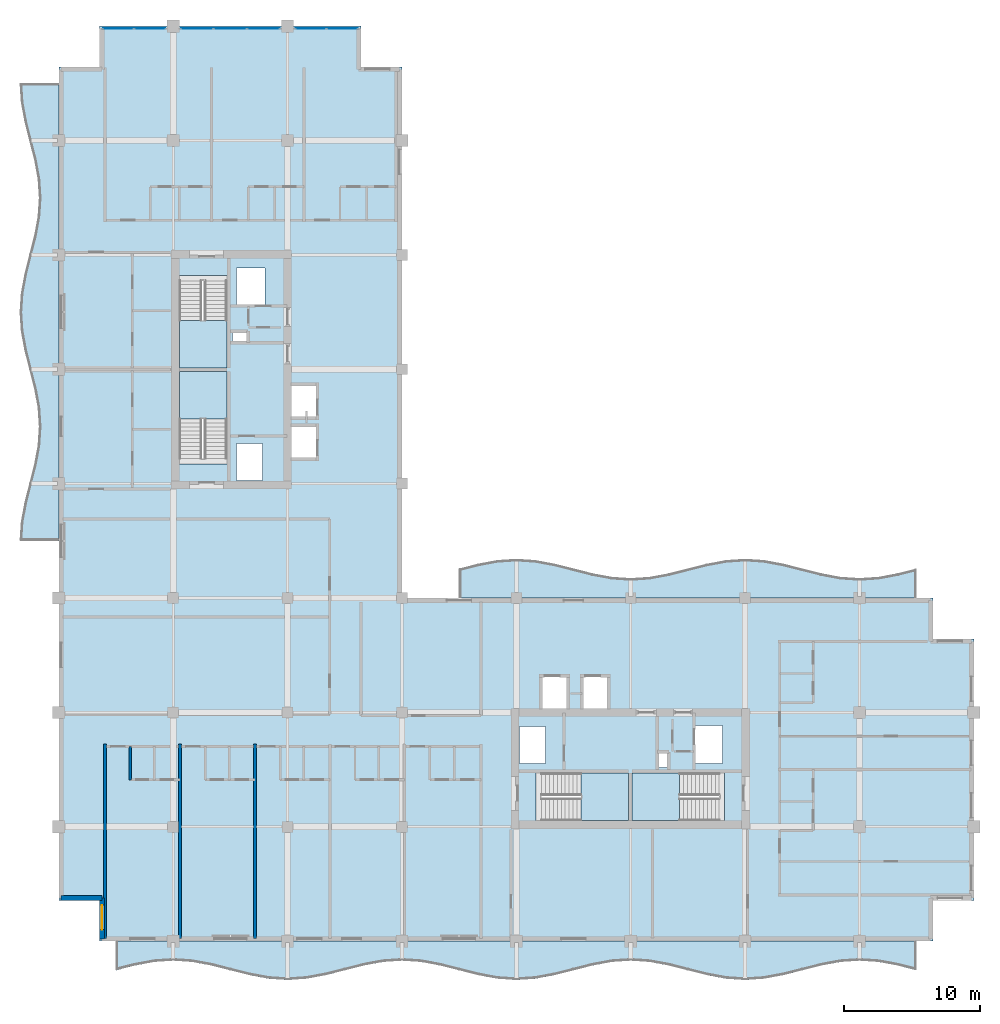
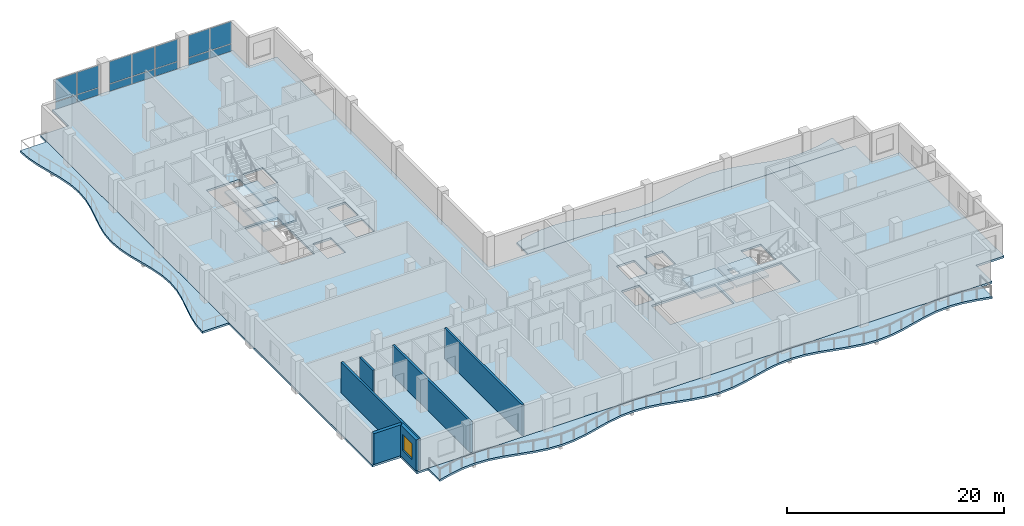
# One storey, part 5 of 15: 14 plates, 8 slabs, 6 walls, 1 window, 1 opening, 7 elements without a shape of their own.
"""IFC4 building model written with IfcOpenShell, lengths in metres."""

from ifc_helpers import new_model, si_unit, direction, frame, frame_2d, origin, origin_2d, place, context, subcontext, project, spatial, polyline, rectangle, outline, extrude, material, layer, layer_set, type_object, element, fill, aggregate, save


model = new_model("IFC4")

# Units and contexts
model_context = context("Model", 3, precision=1e-05, world=origin(), true_north=direction((0.0, 1.0)))
body_context = subcontext(model_context, "Body", "Model", "MODEL_VIEW")
ifc_project = project(units=[si_unit("LENGTHUNIT", "METRE"), si_unit("AREAUNIT", "SQUARE_METRE"), si_unit("VOLUMEUNIT", "CUBIC_METRE"), si_unit("PLANEANGLEUNIT", "RADIAN"), si_unit("MASSUNIT", "GRAM", prefix="KILO")], contexts=[model_context])

# Site, building, storey
site_placement = place(None, origin())
site = spatial("IfcSite", under=ifc_project, at=site_placement, CompositionType="ELEMENT")
building_placement = place(site_placement, origin())
building = spatial("IfcBuilding", under=site, at=building_placement, Name="Koriwani Terraces Tower", CompositionType="ELEMENT")
storey_placement = place(building_placement, frame((0.0, 0.0, 282.300048828125)))
storey = spatial("IfcBuildingStorey", under=building, at=storey_placement, Name="L70", CompositionType="ELEMENT", Elevation=282.300048828125)

# Curtain wall, plates
ifc_material_1 = material(Name="Anodised Bronze Aluminium", Category="aluminium")
ifc_layer_1 = layer(ifc_material_1, 0.169921875, Name="Anodised Bronze Aluminium")
ifc_layer_set_1 = layer_set([ifc_layer_1], Name="Anodised Bronze Aluminium")
curtain_wall_type = type_object("IfcCurtainWallType", Name="CW_RES_ZONE4", PredefinedType="NOTDEFINED", material=ifc_layer_set_1)
curtain_wall_1_placement = place(storey_placement, origin())
curtain_wall_1 = element("IfcCurtainWall", 1, at=curtain_wall_1_placement, inside=storey, type_object=curtain_wall_type, Name="L70 Unitised Curtain Wall (N_TIP) Bay 1", PredefinedType="NOTDEFINED")
ifc_material_2 = material(Name="Tempered Laminated Low-E Glass", Category="glass")
ifc_layer_2 = layer(ifc_material_2, 0.028076171875, Name="Tempered Laminated Low-E Glass")
ifc_layer_set_2 = layer_set([ifc_layer_2], Name="Tempered Laminated Low-E Glass")
plate_type = type_object("IfcPlateType", Name="CW_PANEL_VISION_28", PredefinedType="CURTAIN_PANEL", material=ifc_layer_set_2)
plate_1_placement = place(storey_placement, frame((12.7724609375, 75.425048828125, 0.06494140625), z_axis=(0.0, 0.0, 1.0), x_axis=(1.0, 0.0, 0.0)))
plate_1 = element("IfcPlate", 2, at=plate_1_placement, type_object=plate_type, Name="CW-Z4 panel 1.1", PredefinedType="CURTAIN_PANEL", context=body_context, shape_type="SweptSolid", body=[
    extrude(rectangle(XDim=2.2451171875, YDim=0.028076171875, at=origin_2d()), origin(), (0.0, 0.0, 1.0), 0.802490234375),
])
plate_2_placement = place(storey_placement, frame((12.7724609375, 75.425048828125, 0.9326171875), z_axis=(0.0, 0.0, 1.0), x_axis=(1.0, 0.0, 0.0)))
plate_2 = element("IfcPlate", 3, at=plate_2_placement, type_object=plate_type, Name="CW-Z4 panel 1.2", PredefinedType="CURTAIN_PANEL", context=body_context, shape_type="SweptSolid", body=[
    extrude(rectangle(XDim=2.2451171875, YDim=0.028076171875, at=origin_2d()), origin(), (0.0, 0.0, 1.0), 2.472412109375),
])
plate_3_placement = place(storey_placement, frame((15.092529296875, 75.425048828125, 0.06494140625), z_axis=(0.0, 0.0, 1.0), x_axis=(1.0, 0.0, 0.0)))
plate_3 = element("IfcPlate", 4, at=plate_3_placement, type_object=plate_type, Name="CW-Z4 panel 2.1", PredefinedType="CURTAIN_PANEL", context=body_context, shape_type="SweptSolid", body=[
    extrude(rectangle(XDim=2.2451171875, YDim=0.028076171875, at=origin_2d()), origin(), (0.0, 0.0, 1.0), 0.802490234375),
])
plate_4_placement = place(storey_placement, frame((15.092529296875, 75.425048828125, 0.9326171875), z_axis=(0.0, 0.0, 1.0), x_axis=(1.0, 0.0, 0.0)))
plate_4 = element("IfcPlate", 5, at=plate_4_placement, type_object=plate_type, Name="CW-Z4 panel 2.2", PredefinedType="CURTAIN_PANEL", context=body_context, shape_type="SweptSolid", body=[
    extrude(rectangle(XDim=2.2451171875, YDim=0.028076171875, at=origin_2d()), origin(), (0.0, 0.0, 1.0), 2.472412109375),
])
aggregate(curtain_wall_1, [plate_1, plate_2, plate_3, plate_4])

curtain_wall_2_placement = place(storey_placement, origin())
curtain_wall_2 = element("IfcCurtainWall", 6, at=curtain_wall_2_placement, inside=storey, type_object=curtain_wall_type, Name="L70 Unitised Curtain Wall (N_TIP) Bay 2", PredefinedType="NOTDEFINED")
plate_5_placement = place(storey_placement, frame((18.558837890625, 75.425048828125, 0.06494140625), z_axis=(0.0, 0.0, 1.0), x_axis=(1.0, 0.0, 0.0)))
plate_5 = element("IfcPlate", 7, at=plate_5_placement, type_object=plate_type, Name="CW-Z4 panel 1.1", PredefinedType="CURTAIN_PANEL", context=body_context, shape_type="SweptSolid", body=[
    extrude(rectangle(XDim=2.347412109375, YDim=0.028076171875, at=origin_2d()), origin(), (0.0, 0.0, 1.0), 0.802490234375),
])
plate_6_placement = place(storey_placement, frame((18.558837890625, 75.425048828125, 0.9326171875), z_axis=(0.0, 0.0, 1.0), x_axis=(1.0, 0.0, 0.0)))
plate_6 = element("IfcPlate", 8, at=plate_6_placement, type_object=plate_type, Name="CW-Z4 panel 1.2", PredefinedType="CURTAIN_PANEL", context=body_context, shape_type="SweptSolid", body=[
    extrude(rectangle(XDim=2.347412109375, YDim=0.028076171875, at=origin_2d()), origin(), (0.0, 0.0, 1.0), 2.472412109375),
])
plate_7_placement = place(storey_placement, frame((21.0, 75.425048828125, 0.06494140625), z_axis=(0.0, 0.0, 1.0), x_axis=(1.0, 0.0, 0.0)))
plate_7 = element("IfcPlate", 9, at=plate_7_placement, type_object=plate_type, Name="CW-Z4 panel 2.1", PredefinedType="CURTAIN_PANEL", context=body_context, shape_type="SweptSolid", body=[
    extrude(rectangle(XDim=2.385009765625, YDim=0.028076171875, at=origin_2d()), origin(), (0.0, 0.0, 1.0), 0.802490234375),
])
plate_8_placement = place(storey_placement, frame((21.0, 75.425048828125, 0.9326171875), z_axis=(0.0, 0.0, 1.0), x_axis=(1.0, 0.0, 0.0)))
plate_8 = element("IfcPlate", 10, at=plate_8_placement, type_object=plate_type, Name="CW-Z4 panel 2.2", PredefinedType="CURTAIN_PANEL", context=body_context, shape_type="SweptSolid", body=[
    extrude(rectangle(XDim=2.385009765625, YDim=0.028076171875, at=origin_2d()), origin(), (0.0, 0.0, 1.0), 2.472412109375),
])
plate_9_placement = place(storey_placement, frame((23.441162109375, 75.425048828125, 0.06494140625), z_axis=(0.0, 0.0, 1.0), x_axis=(1.0, 0.0, 0.0)))
plate_9 = element("IfcPlate", 11, at=plate_9_placement, type_object=plate_type, Name="CW-Z4 panel 3.1", PredefinedType="CURTAIN_PANEL", context=body_context, shape_type="SweptSolid", body=[
    extrude(rectangle(XDim=2.347412109375, YDim=0.028076171875, at=origin_2d()), origin(), (0.0, 0.0, 1.0), 0.802490234375),
])
plate_10_placement = place(storey_placement, frame((23.441162109375, 75.425048828125, 0.9326171875), z_axis=(0.0, 0.0, 1.0), x_axis=(1.0, 0.0, 0.0)))
plate_10 = element("IfcPlate", 12, at=plate_10_placement, type_object=plate_type, Name="CW-Z4 panel 3.2", PredefinedType="CURTAIN_PANEL", context=body_context, shape_type="SweptSolid", body=[
    extrude(rectangle(XDim=2.347412109375, YDim=0.028076171875, at=origin_2d()), origin(), (0.0, 0.0, 1.0), 2.472412109375),
])
aggregate(curtain_wall_2, [plate_5, plate_6, plate_7, plate_8, plate_9, plate_10])

curtain_wall_3_placement = place(storey_placement, origin())
curtain_wall_3 = element("IfcCurtainWall", 13, at=curtain_wall_3_placement, inside=storey, type_object=curtain_wall_type, Name="L70 Unitised Curtain Wall (N_TIP) Bay 3", PredefinedType="NOTDEFINED")
plate_11_placement = place(storey_placement, frame((26.907470703125, 75.425048828125, 0.06494140625), z_axis=(0.0, 0.0, 1.0), x_axis=(1.0, 0.0, 0.0)))
plate_11 = element("IfcPlate", 14, at=plate_11_placement, type_object=plate_type, Name="CW-Z4 panel 1.1", PredefinedType="CURTAIN_PANEL", context=body_context, shape_type="SweptSolid", body=[
    extrude(rectangle(XDim=2.2451171875, YDim=0.028076171875, at=origin_2d()), origin(), (0.0, 0.0, 1.0), 0.802490234375),
])
plate_12_placement = place(storey_placement, frame((26.907470703125, 75.425048828125, 0.9326171875), z_axis=(0.0, 0.0, 1.0), x_axis=(1.0, 0.0, 0.0)))
plate_12 = element("IfcPlate", 15, at=plate_12_placement, type_object=plate_type, Name="CW-Z4 panel 1.2", PredefinedType="CURTAIN_PANEL", context=body_context, shape_type="SweptSolid", body=[
    extrude(rectangle(XDim=2.2451171875, YDim=0.028076171875, at=origin_2d()), origin(), (0.0, 0.0, 1.0), 2.472412109375),
])
plate_13_placement = place(storey_placement, frame((29.2275390625, 75.425048828125, 0.06494140625), z_axis=(0.0, 0.0, 1.0), x_axis=(1.0, 0.0, 0.0)))
plate_13 = element("IfcPlate", 16, at=plate_13_placement, type_object=plate_type, Name="CW-Z4 panel 2.1", PredefinedType="CURTAIN_PANEL", context=body_context, shape_type="SweptSolid", body=[
    extrude(rectangle(XDim=2.2451171875, YDim=0.028076171875, at=origin_2d()), origin(), (0.0, 0.0, 1.0), 0.802490234375),
])
plate_14_placement = place(storey_placement, frame((29.2275390625, 75.425048828125, 0.9326171875), z_axis=(0.0, 0.0, 1.0), x_axis=(1.0, 0.0, 0.0)))
plate_14 = element("IfcPlate", 17, at=plate_14_placement, type_object=plate_type, Name="CW-Z4 panel 2.2", PredefinedType="CURTAIN_PANEL", context=body_context, shape_type="SweptSolid", body=[
    extrude(rectangle(XDim=2.2451171875, YDim=0.028076171875, at=origin_2d()), origin(), (0.0, 0.0, 1.0), 2.472412109375),
])
aggregate(curtain_wall_3, [plate_11, plate_12, plate_13, plate_14])

# Slabs
ifc_material_3 = material(Name="Concrete C40/50", Category="concrete")
ifc_layer_3 = layer(ifc_material_3, 0.219970703125, Name="Concrete C40/50")
ifc_layer_set_3 = layer_set([ifc_layer_3], Name="Concrete C40/50")
slab_type_1 = type_object("IfcSlabType", Name="SLAB_BALCONY_220", PredefinedType="FLOOR", material=ifc_layer_set_3)
slab_1_placement = place(storey_placement, frame((0.0, 0.0, -0.219970703125)))
element("IfcSlab", 18, at=slab_1_placement, inside=storey, type_object=slab_type_1, Name="L70 Quilted Circular-Arc Balcony (S)", PredefinedType="FLOOR", context=body_context, shape_type="SweptSolid", body=[
    extrude(outline(polyline([(12.60009765625, 8.39990234375), (14.0, 8.39990234375), (15.39990234375, 8.39990234375), (16.800048828125, 8.39990234375), (18.199951171875, 8.39990234375), (19.60009765625, 8.39990234375), (21.0, 8.39990234375), (22.39990234375, 8.39990234375), (23.800048828125, 8.39990234375), (25.199951171875, 8.39990234375), (26.60009765625, 8.39990234375), (28.0, 8.39990234375), (29.39990234375, 8.39990234375), (30.800048828125, 8.39990234375), (32.199951171875, 8.39990234375), (33.60009765625, 8.39990234375), (35.0, 8.39990234375), (36.39990234375, 8.39990234375), (37.800048828125, 8.39990234375), (39.199951171875, 8.39990234375), (40.60009765625, 8.39990234375), (42.0, 8.39990234375), (43.39990234375, 8.39990234375), (44.800048828125, 8.39990234375), (46.199951171875, 8.39990234375), (47.60009765625, 8.39990234375), (49.0, 8.39990234375), (50.39990234375, 8.39990234375), (51.800048828125, 8.39990234375), (53.199951171875, 8.39990234375), (54.60009765625, 8.39990234375), (56.0, 8.39990234375), (57.39990234375, 8.39990234375), (58.800048828125, 8.39990234375), (60.199951171875, 8.39990234375), (61.60009765625, 8.39990234375), (63.0, 8.39990234375), (64.39990234375, 8.39990234375), (65.800048828125, 8.39990234375), (67.199951171875, 8.39990234375), (68.60009765625, 8.39990234375), (70.0, 8.39990234375), (71.39990234375, 8.39990234375), (71.39990234375, 6.260009765625), (70.0, 6.614990234375), (68.60009765625, 6.875), (67.199951171875, 6.969970703125), (65.800048828125, 6.875), (64.39990234375, 6.614990234375), (63.0, 6.260009765625), (61.60009765625, 5.905029296875), (60.199951171875, 5.64501953125), (58.800048828125, 5.550048828125), (57.39990234375, 5.64501953125), (56.0, 5.905029296875), (54.60009765625, 6.260009765625), (53.199951171875, 6.614990234375), (51.800048828125, 6.875), (50.39990234375, 6.969970703125), (49.0, 6.875), (47.60009765625, 6.614990234375), (46.199951171875, 6.260009765625), (44.800048828125, 5.905029296875), (43.39990234375, 5.64501953125), (42.0, 5.550048828125), (40.60009765625, 5.64501953125), (39.199951171875, 5.905029296875), (37.800048828125, 6.260009765625), (36.39990234375, 6.614990234375), (35.0, 6.875), (33.60009765625, 6.969970703125), (32.199951171875, 6.875), (30.800048828125, 6.614990234375), (29.39990234375, 6.260009765625), (28.0, 5.905029296875), (26.60009765625, 5.64501953125), (25.199951171875, 5.550048828125), (23.800048828125, 5.64501953125), (22.39990234375, 5.905029296875), (21.0, 6.260009765625), (19.60009765625, 6.614990234375), (18.199951171875, 6.875), (16.800048828125, 6.969970703125), (15.39990234375, 6.875), (14.0, 6.614990234375), (12.60009765625, 6.260009765625), (12.60009765625, 8.39990234375)])), origin(), (0.0, 0.0, 1.0), 0.219970703125),
])
slab_2_placement = place(storey_placement, frame((0.0, 0.0, -0.219970703125)))
element("IfcSlab", 19, at=slab_2_placement, inside=storey, type_object=slab_type_1, Name="L70 Quilted Circular-Arc Balcony (W)", PredefinedType="FLOOR", context=body_context, shape_type="SweptSolid", body=[
    extrude(outline(polyline([(8.39990234375, 37.800048828125), (8.39990234375, 39.199951171875), (8.39990234375, 40.60009765625), (8.39990234375, 42.0), (8.39990234375, 43.39990234375), (8.39990234375, 44.800048828125), (8.39990234375, 46.199951171875), (8.39990234375, 47.60009765625), (8.39990234375, 49.0), (8.39990234375, 50.39990234375), (8.39990234375, 51.800048828125), (8.39990234375, 53.199951171875), (8.39990234375, 54.60009765625), (8.39990234375, 56.0), (8.39990234375, 57.39990234375), (8.39990234375, 58.800048828125), (8.39990234375, 60.199951171875), (8.39990234375, 61.60009765625), (8.39990234375, 63.0), (8.39990234375, 64.39990234375), (8.39990234375, 65.800048828125), (8.39990234375, 67.199951171875), (8.39990234375, 68.60009765625), (8.39990234375, 70.0), (8.39990234375, 71.39990234375), (5.550048828125, 71.39990234375), (5.64501953125, 70.0), (5.905029296875, 68.60009765625), (6.260009765625, 67.199951171875), (6.614990234375, 65.800048828125), (6.875, 64.39990234375), (6.969970703125, 63.0), (6.875, 61.60009765625), (6.614990234375, 60.199951171875), (6.260009765625, 58.800048828125), (5.905029296875, 57.39990234375), (5.64501953125, 56.0), (5.550048828125, 54.60009765625), (5.64501953125, 53.199951171875), (5.905029296875, 51.800048828125), (6.260009765625, 50.39990234375), (6.614990234375, 49.0), (6.875, 47.60009765625), (6.969970703125, 46.199951171875), (6.875, 44.800048828125), (6.614990234375, 43.39990234375), (6.260009765625, 42.0), (5.905029296875, 40.60009765625), (5.64501953125, 39.199951171875), (5.550048828125, 37.800048828125), (8.39990234375, 37.800048828125)])), origin(), (0.0, 0.0, 1.0), 0.219970703125),
])
slab_3_placement = place(storey_placement, frame((0.0, 0.0, -0.219970703125)))
element("IfcSlab", 20, at=slab_3_placement, inside=storey, type_object=slab_type_1, Name="L70 Quilted Circular-Arc Balcony (NE)", PredefinedType="FLOOR", context=body_context, shape_type="SweptSolid", body=[
    extrude(outline(polyline([(71.39990234375, 33.60009765625), (70.0, 33.60009765625), (68.60009765625, 33.60009765625), (67.199951171875, 33.60009765625), (65.800048828125, 33.60009765625), (64.39990234375, 33.60009765625), (63.0, 33.60009765625), (61.60009765625, 33.60009765625), (60.199951171875, 33.60009765625), (58.800048828125, 33.60009765625), (57.39990234375, 33.60009765625), (56.0, 33.60009765625), (54.60009765625, 33.60009765625), (53.199951171875, 33.60009765625), (51.800048828125, 33.60009765625), (50.39990234375, 33.60009765625), (49.0, 33.60009765625), (47.60009765625, 33.60009765625), (46.199951171875, 33.60009765625), (44.800048828125, 33.60009765625), (43.39990234375, 33.60009765625), (42.0, 33.60009765625), (40.60009765625, 33.60009765625), (39.199951171875, 33.60009765625), (37.800048828125, 33.60009765625), (37.800048828125, 35.739990234375), (39.199951171875, 36.094970703125), (40.60009765625, 36.35498046875), (42.0, 36.449951171875), (43.39990234375, 36.35498046875), (44.800048828125, 36.094970703125), (46.199951171875, 35.739990234375), (47.60009765625, 35.385009765625), (49.0, 35.125), (50.39990234375, 35.030029296875), (51.800048828125, 35.125), (53.199951171875, 35.385009765625), (54.60009765625, 35.739990234375), (56.0, 36.094970703125), (57.39990234375, 36.35498046875), (58.800048828125, 36.449951171875), (60.199951171875, 36.35498046875), (61.60009765625, 36.094970703125), (63.0, 35.739990234375), (64.39990234375, 35.385009765625), (65.800048828125, 35.125), (67.199951171875, 35.030029296875), (68.60009765625, 35.125), (70.0, 35.385009765625), (71.39990234375, 35.739990234375), (71.39990234375, 33.60009765625)])), origin(), (0.0, 0.0, 1.0), 0.219970703125),
])
ifc_layer_4 = layer(ifc_material_3, 0.22998046875, Name="Concrete C40/50")
ifc_layer_set_4 = layer_set([ifc_layer_4], Name="Concrete C40/50")
slab_type_2 = type_object("IfcSlabType", Name="SLAB_RES_TYP_230", PredefinedType="FLOOR", material=ifc_layer_set_4)
slab_4_placement = place(storey_placement, frame((0.0, 0.0, -0.22998046875)))
element("IfcSlab", 21, at=slab_4_placement, inside=storey, type_object=slab_type_2, Name="L70 Structural Floor Slab", PredefinedType="FLOOR", context=body_context, shape_type="SweptSolid", body=[
    extrude(outline(polyline([(11.39990234375, 8.39990234375), (72.60009765625, 8.39990234375), (72.60009765625, 11.39990234375), (75.60009765625, 11.39990234375), (75.60009765625, 30.60009765625), (72.60009765625, 30.60009765625), (72.60009765625, 33.60009765625), (33.60009765625, 33.60009765625), (33.60009765625, 72.60009765625), (30.60009765625, 72.60009765625), (30.60009765625, 75.60009765625), (11.39990234375, 75.60009765625), (11.39990234375, 72.60009765625), (8.39990234375, 72.60009765625), (8.39990234375, 11.39990234375), (11.39990234375, 11.39990234375), (11.39990234375, 8.39990234375)]), holes=[polyline([(17.25, 43.4599609375), (20.75, 43.4599609375), (20.75, 50.25), (17.25, 50.25), (17.25, 43.4599609375)]), polyline([(17.25, 50.5), (20.75, 50.5), (20.75, 57.2900390625), (17.25, 57.2900390625), (17.25, 50.5)]), polyline([(43.4599609375, 17.25), (50.25, 17.25), (50.25, 20.75), (43.4599609375, 20.75), (43.4599609375, 17.25)]), polyline([(50.5, 17.25), (57.2900390625, 17.25), (57.2900390625, 20.75), (50.5, 20.75), (50.5, 17.25)]), polyline([(25.449951171875, 43.85009765625), (27.35009765625, 43.85009765625), (27.35009765625, 46.25), (25.449951171875, 46.25), (25.449951171875, 43.85009765625)]), polyline([(25.449951171875, 46.85009765625), (27.35009765625, 46.85009765625), (27.35009765625, 49.25), (25.449951171875, 49.25), (25.449951171875, 46.85009765625)]), polyline([(43.85009765625, 25.449951171875), (45.75, 25.449951171875), (45.75, 27.85009765625), (43.85009765625, 27.85009765625), (43.85009765625, 25.449951171875)]), polyline([(46.85009765625, 25.449951171875), (48.75, 25.449951171875), (48.75, 27.85009765625), (46.85009765625, 27.85009765625), (46.85009765625, 25.449951171875)]), polyline([(21.449951171875, 55.050048828125), (23.550048828125, 55.050048828125), (23.550048828125, 57.85009765625), (21.449951171875, 57.85009765625), (21.449951171875, 55.050048828125)]), polyline([(55.050048828125, 21.449951171875), (57.14990234375, 21.449951171875), (57.14990234375, 24.25), (55.050048828125, 24.25), (55.050048828125, 21.449951171875)]), polyline([(21.449951171875, 42.25), (23.35009765625, 42.25), (23.35009765625, 44.949951171875), (21.449951171875, 44.949951171875), (21.449951171875, 42.25)]), polyline([(42.25, 21.449951171875), (44.14990234375, 21.449951171875), (44.14990234375, 24.14990234375), (42.25, 24.14990234375), (42.25, 21.449951171875)]), polyline([(21.14990234375, 52.419921875), (22.219970703125, 52.419921875), (22.219970703125, 53.179931640625), (21.14990234375, 53.179931640625), (21.14990234375, 52.419921875)]), polyline([(52.419921875, 21.14990234375), (53.179931640625, 21.14990234375), (53.179931640625, 22.219970703125), (52.419921875, 22.219970703125), (52.419921875, 21.14990234375)])]), origin(), (0.0, 0.0, 1.0), 0.22998046875),
])

# Stair, slab
stair_type = type_object("IfcStairType", Name="STAIR_CORE_DOGLEG_1650", PredefinedType="TWO_STRAIGHT_RUN_STAIR", material=ifc_material_3)
stair_1_placement = place(storey_placement, origin())
stair_1 = element("IfcStair", 22, at=stair_1_placement, inside=storey, type_object=stair_type, Name="L70 West Core Exit Stair 1", PredefinedType="HALF_TURN_STAIR")
ifc_layer_5 = layer(ifc_material_3, 0.199951171875, Name="Concrete C40/50")
ifc_layer_set_5 = layer_set([ifc_layer_5], Name="Concrete C40/50")
slab_type_3 = type_object("IfcSlabType", Name="SLAB_STAIR_LANDING_200", PredefinedType="LANDING", material=ifc_layer_set_5)
slab_5_placement = place(storey_placement, frame((0.0, 0.0, 1.64990234375)))
slab_5 = element("IfcSlab", 23, at=slab_5_placement, type_object=slab_type_3, Name="ST-W1 landing 1", PredefinedType="LANDING", context=body_context, shape_type="SweptSolid", body=[
    extrude(outline(polyline([(20.75, 46.75), (20.75, 50.25), (17.25, 50.25), (17.25, 46.75), (20.75, 46.75)])), origin(), (0.0, 0.0, 1.0), 0.199951171875),
])
aggregate(stair_1, [slab_5])

stair_2_placement = place(storey_placement, origin())
stair_2 = element("IfcStair", 24, at=stair_2_placement, inside=storey, type_object=stair_type, Name="L70 West Core Exit Stair 2", PredefinedType="HALF_TURN_STAIR")
slab_6_placement = place(storey_placement, frame((0.0, 0.0, 1.64990234375)))
slab_6 = element("IfcSlab", 25, at=slab_6_placement, type_object=slab_type_3, Name="ST-W2 landing 1", PredefinedType="LANDING", context=body_context, shape_type="SweptSolid", body=[
    extrude(outline(polyline([(17.25, 54.0), (17.25, 50.5), (20.75, 50.5), (20.75, 54.0), (17.25, 54.0)])), origin(), (0.0, 0.0, 1.0), 0.199951171875),
])
aggregate(stair_2, [slab_6])

stair_3_placement = place(storey_placement, origin())
stair_3 = element("IfcStair", 26, at=stair_3_placement, inside=storey, type_object=stair_type, Name="L70 East Core Exit Stair 1", PredefinedType="HALF_TURN_STAIR")
slab_7_placement = place(storey_placement, frame((0.0, 0.0, 1.64990234375)))
slab_7 = element("IfcSlab", 27, at=slab_7_placement, type_object=slab_type_3, Name="ST-E1 landing 1", PredefinedType="LANDING", context=body_context, shape_type="SweptSolid", body=[
    extrude(outline(polyline([(46.75, 17.25), (50.25, 17.25), (50.25, 20.75), (46.75, 20.75), (46.75, 17.25)])), origin(), (0.0, 0.0, 1.0), 0.199951171875),
])
aggregate(stair_3, [slab_7])

stair_4_placement = place(storey_placement, origin())
stair_4 = element("IfcStair", 28, at=stair_4_placement, inside=storey, type_object=stair_type, Name="L70 East Core Exit Stair 2", PredefinedType="HALF_TURN_STAIR")
slab_8_placement = place(storey_placement, frame((0.0, 0.0, 1.64990234375)))
slab_8 = element("IfcSlab", 29, at=slab_8_placement, type_object=slab_type_3, Name="ST-E2 landing 1", PredefinedType="LANDING", context=body_context, shape_type="SweptSolid", body=[
    extrude(outline(polyline([(54.0, 20.75), (50.5, 20.75), (50.5, 17.25), (54.0, 17.25), (54.0, 20.75)])), origin(), (0.0, 0.0, 1.0), 0.199951171875),
])
aggregate(stair_4, [slab_8])

# Walls
ifc_material_4 = material(Name="Autoclaved Cellular Concrete Blockwork", Category="masonry")
ifc_layer_6 = layer(ifc_material_4, 0.219970703125, Name="Autoclaved Cellular Concrete Blockwork")
ifc_layer_set_6 = layer_set([ifc_layer_6], Name="Autoclaved Cellular Concrete Blockwork")
wall_type_1 = type_object("IfcWallType", Name="WALL_DEMISING_220", PredefinedType="PARTITIONING", material=ifc_layer_set_6)
for number, where, z_axis, x_axis, name in (
    (30, (11.800048828125, 8.60009765625, 0.0), (0.0, 0.0, 1.0), (0.0, 1.0, 0.0), "L70 Interior Wall WRDEM-L70-SW-0"),
    (31, (17.300048828125, 8.60009765625, 0.0), (0.0, 0.0, 1.0), (0.0, 1.0, 0.0), "L70 Interior Wall WRDEM-L70-SW-1"),
    (32, (22.800048828125, 8.60009765625, 0.0), (0.0, 0.0, 1.0), (0.0, 1.0, 0.0), "L70 Interior Wall WRDEM-L70-SW-2"),
):
    element("IfcWall", number, at=place(storey_placement, frame(where, z_axis=z_axis, x_axis=x_axis)), inside=storey, type_object=wall_type_1, Name=name, PredefinedType="PARTITIONING", context=body_context, shape_type="SweptSolid", body=[
        extrude(rectangle(XDim=14.27978515625, YDim=0.219970703125, at=frame_2d((7.139892578125, 0.0))), origin(), (0.0, 0.0, 1.0), 3.469970703125),
    ])

# Wall, opening, window
ifc_material_5 = material(Name="Concrete C50/60", Category="concrete")
ifc_layer_7 = layer(ifc_material_5, 0.35009765625, Name="Concrete C50/60")
ifc_layer_set_7 = layer_set([ifc_layer_7], Name="Concrete C50/60")
wall_type_2 = type_object("IfcWallType", Name="WALL_EXT_BRUTALIST_350", PredefinedType="STANDARD", material=ifc_layer_set_7)
wall_1_placement = place(storey_placement, frame((11.574951171875, 8.574951171875, 0.0), z_axis=(0.0, 0.0, 1.0), x_axis=(0.0, 1.0, 0.0)))
wall_1 = element("IfcWall", 33, at=wall_1_placement, inside=storey, type_object=wall_type_2, Name="L70 Fair-Faced Brutalist Exterior Wall (N0)", PredefinedType="STANDARD", context=body_context, shape_type="SweptSolid", body=[
    extrude(rectangle(XDim=3.0, YDim=0.35009765625, at=frame_2d((1.5, 0.0))), origin(), (0.0, 0.0, 1.0), 3.469970703125),
])
opening_placement = place(wall_1_placement, frame((0.677490234375, 0.0, 0.85009765625)))
opening = element("IfcOpeningElement", 34, at=opening_placement, cuts=wall_1, Name="Opening W-04", PredefinedType="OPENING", context=body_context, shape_type="SweptSolid", body=[
    extrude(rectangle(XDim=1.800048828125, YDim=1.800048828125, at=frame_2d((0.89990234375, 0.89990234375))), frame((0.0, 0.18505859375, 0.0), z_axis=(0.0, -1.0, 0.0), x_axis=(1.0, 0.0, 0.0)), (0.0, 0.0, 1.0), 0.3701171875),
])
window_type = type_object("IfcWindowType", Name="WIN_RES_BED_1800X1800", PartitioningType="DOUBLE_PANEL_VERTICAL", PredefinedType="WINDOW", material=ifc_material_2)
window_placement = place(opening_placement, origin())
window = element("IfcWindow", 35, at=window_placement, inside=storey, type_object=window_type, Name="L70 Exterior Window (N0-R34)", OverallHeight=1.800048828125, OverallWidth=1.800048828125, PartitioningType="SINGLE_PANEL", PredefinedType="WINDOW", context=body_context, shape_type="SweptSolid", body=[
    extrude(rectangle(XDim=1.800048828125, YDim=1.800048828125, at=frame_2d((0.89990234375, 0.89990234375))), frame((0.0, 0.030029296875, 0.0), z_axis=(0.0, -1.0, 0.0), x_axis=(1.0, 0.0, 0.0)), (0.0, 0.0, 1.0), 0.06005859375),
])
fill(opening, window)

# Walls
wall_2_placement = place(storey_placement, frame((11.574951171875, 11.574951171875, 0.0), z_axis=(0.0, 0.0, 1.0), x_axis=(-1.0, 0.0, 0.0)))
element("IfcWall", 36, at=wall_2_placement, inside=storey, type_object=wall_type_2, Name="L70 Fair-Faced Brutalist Exterior Wall (N1)", PredefinedType="STANDARD", context=body_context, shape_type="SweptSolid", body=[
    extrude(rectangle(XDim=3.0, YDim=0.35009765625, at=frame_2d((1.5, 0.0))), origin(), (0.0, 0.0, 1.0), 3.469970703125),
])
ifc_material_6 = material(Name="Fire-Rated Acoustic Gypsum Partition", Category="masonry")
ifc_layer_8 = layer(ifc_material_6, 0.179931640625, Name="Fire-Rated Acoustic Gypsum Partition")
ifc_layer_set_8 = layer_set([ifc_layer_8], Name="Fire-Rated Acoustic Gypsum Partition")
wall_type_3 = type_object("IfcWallType", Name="WALL_PLUMBING_180", PredefinedType="PLUMBINGWALL", material=ifc_layer_set_8)
wall_3_placement = place(storey_placement, frame((13.64990234375, 20.25, 0.0), z_axis=(0.0, 0.0, 1.0), x_axis=(0.0, 1.0, 0.0)))
element("IfcWall", 37, at=wall_3_placement, inside=storey, type_object=wall_type_3, Name="L70 Interior Wall WRSVCS-L70-SW-0", PredefinedType="PLUMBINGWALL", context=body_context, shape_type="SweptSolid", body=[
    extrude(rectangle(XDim=2.449951171875, YDim=0.179931640625, at=frame_2d((1.22509765625, 0.0))), origin(), (0.0, 0.0, 1.0), 3.469970703125),
])

save(model, "model.ifc")
